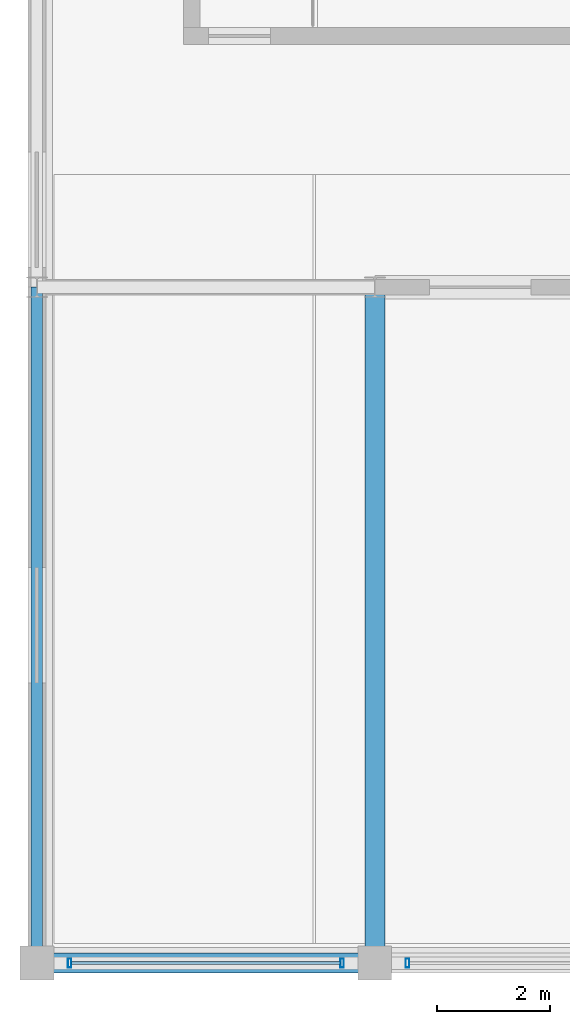
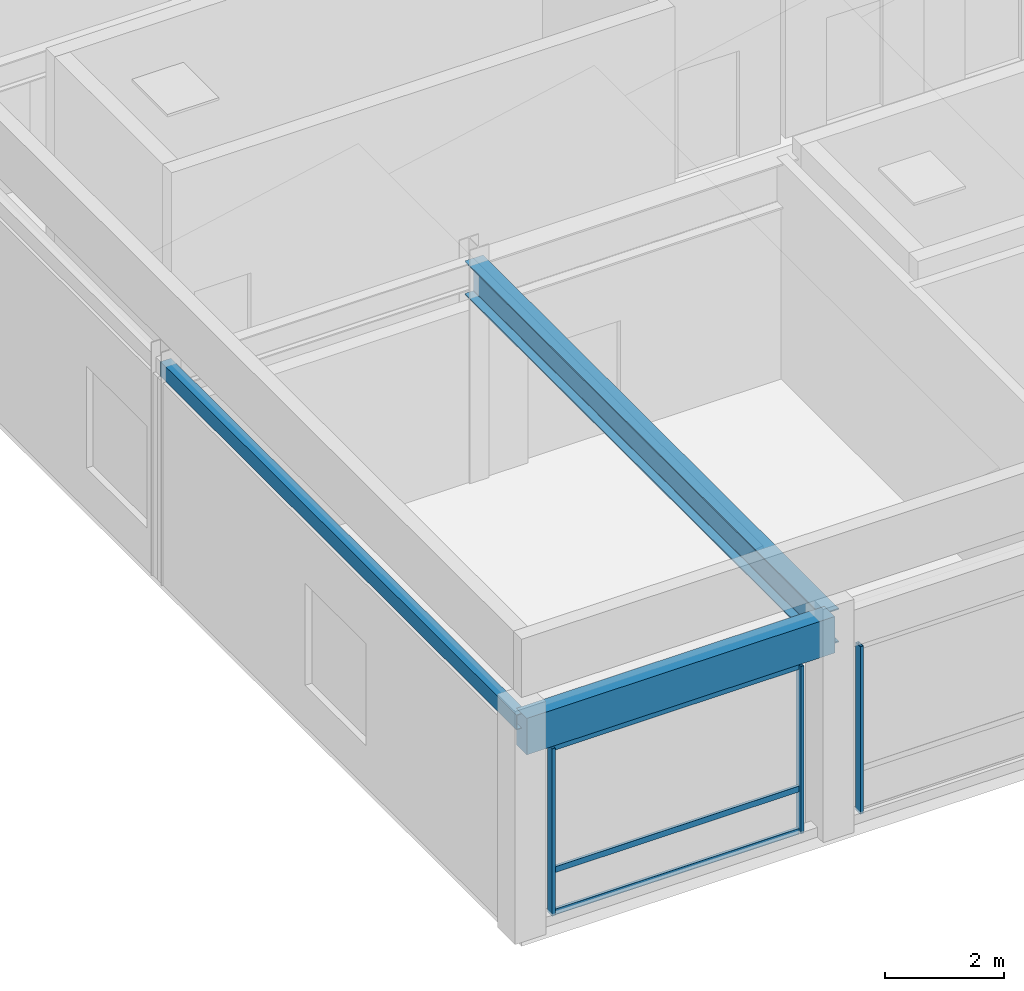
# One storey, part 2 of 16: 6 members, 3 beams, 2 elements without a shape of their own.
"""IFC4 building model written with IfcOpenShell, lengths in metres."""

from ifc_helpers import new_model, si_unit, direction, frame, origin, origin_2d, place, context, subcontext, project, spatial, rectangle, hollow_rectangle, i_section, extrude, material, material_profile, profile_set, type_object, element, aggregate, save


model = new_model("IFC4")

# Units and contexts
model_context = context("Model", 3, precision=1e-05, world=origin(), true_north=direction((0.0, 1.0)))
body_context = subcontext(model_context, "Body", "Model", "MODEL_VIEW")
ifc_project = project(units=[si_unit("LENGTHUNIT", "METRE"), si_unit("AREAUNIT", "SQUARE_METRE"), si_unit("VOLUMEUNIT", "CUBIC_METRE"), si_unit("PLANEANGLEUNIT", "RADIAN"), si_unit("MASSUNIT", "GRAM", prefix="KILO")], contexts=[model_context])

# Site, building, storey
site_placement = place(None, origin())
site = spatial("IfcSite", under=ifc_project, at=site_placement, CompositionType="ELEMENT")
building_placement = place(site_placement, origin())
building = spatial("IfcBuilding", under=site, at=building_placement, Name="Kaldorvane Square Convention Centre", CompositionType="ELEMENT")
storey_placement = place(building_placement, frame((0.0, 0.0, 70.80000305175781)))
storey = spatial("IfcBuildingStorey", under=building, at=storey_placement, Name="L17", CompositionType="ELEMENT", Elevation=70.80000305175781)

# Beams
ifc_material_1 = material(Name="Steel ASTM A992 Gr. 50", Category="steel")
ifc_material_profile_1 = material_profile(ifc_material_1, i_section(OverallWidth=0.354705810546875, OverallDepth=0.69549560546875, WebThickness=0.0153961181640625, FlangeThickness=0.0251007080078125, FilletRadius=0.01519775390625, at=origin_2d()), Name="W27X146")
ifc_profile_set_1 = profile_set([ifc_material_profile_1], Name="Steel ASTM A992 Gr. 50")
beam_type_1 = type_object("IfcBeamType", Name="BM-GR-W27X146", PredefinedType="BEAM", material=ifc_profile_set_1)
beam_1_placement = place(storey_placement, frame((42.0, 84.0, 4.128204345703125), z_axis=(0.0, 1.0, 0.0), x_axis=(-1.0, 0.0, 0.0)))
element("IfcBeam", 1, at=beam_1_placement, inside=storey, type_object=beam_type_1, Name="Transverse Girder (L17)", PredefinedType="BEAM", context=body_context, shape_type="SweptSolid", body=[
    extrude(i_section(OverallWidth=0.354705810546875, OverallDepth=0.69549560546875, WebThickness=0.0153961181640625, FlangeThickness=0.0251007080078125, FilletRadius=0.01519775390625, at=origin_2d()), origin(), (0.0, 0.0, 1.0), 12.0),
])
ifc_material_2 = material(Name="Steel ASTM A500 Gr. C", Category="steel")
ifc_material_profile_2 = material_profile(ifc_material_2, hollow_rectangle(XDim=0.2032012939453125, YDim=0.3047943115234375, WallThickness=0.0088958740234375, at=origin_2d()), Name="HSS12X8X3/8")
ifc_profile_set_2 = profile_set([ifc_material_profile_2], Name="Steel ASTM A500 Gr. C")
beam_type_2 = type_object("IfcBeamType", Name="BM-SP-HSS12", PredefinedType="SPANDREL", material=ifc_profile_set_2)
beam_2_placement = place(storey_placement, frame((36.0, 84.0, 4.3235931396484375), z_axis=(0.0, 1.0, 0.0), x_axis=(-1.0, 0.0, 0.0)))
element("IfcBeam", 2, at=beam_2_placement, inside=storey, type_object=beam_type_2, Name="End Spandrel (L17)", PredefinedType="SPANDREL", context=body_context, shape_type="SweptSolid", body=[
    extrude(hollow_rectangle(XDim=0.2032012939453125, YDim=0.3047943115234375, WallThickness=0.0088958740234375, at=origin_2d()), origin(), (0.0, 0.0, 1.0), 12.0),
])
ifc_material_3 = material(Name="Concrete f'c = 42 MPa (Normalweight)", Category="concrete")
ifc_material_profile_3 = material_profile(ifc_material_3, rectangle(XDim=0.350006103515625, YDim=0.75, at=origin_2d()), Name="RCSP750X350")
ifc_profile_set_3 = profile_set([ifc_material_profile_3], Name="Concrete f'c = 42 MPa (Normalweight)")
beam_type_3 = type_object("IfcBeamType", Name="BM-SP-RC750", PredefinedType="SPANDREL", material=ifc_profile_set_3)
beam_3_placement = place(storey_placement, frame((36.0, 84.0, 4.1009979248046875), z_axis=(1.0, 0.0, 0.0), x_axis=(0.0, 1.0, 0.0)))
element("IfcBeam", 3, at=beam_3_placement, inside=storey, type_object=beam_type_3, Name="Perimeter Spandrel (L17)", PredefinedType="SPANDREL", context=body_context, shape_type="SweptSolid", body=[
    extrude(rectangle(XDim=0.350006103515625, YDim=0.75, at=origin_2d()), origin(), (0.0, 0.0, 1.0), 6.0),
])

# Curtain wall, members
ifc_material_4 = material(Name="Anodized Aluminum and Low-E Insulated Glazing", Category="aluminium")
curtain_wall_type_1 = type_object("IfcCurtainWallType", Name="CW-UNI-PNT-06", PredefinedType="USERDEFINED", material=ifc_material_4)
curtain_wall_1_placement = place(storey_placement, origin())
curtain_wall_1 = element("IfcCurtainWall", 4, at=curtain_wall_1_placement, inside=storey, type_object=curtain_wall_type_1, Name="Curtain Wall CW-13 (L17)", ObjectType="UNITISED GLAZING", PredefinedType="USERDEFINED")
ifc_material_profile_4 = material_profile(ifc_material_4, hollow_rectangle(XDim=0.05999755859375, YDim=0.160003662109375, WallThickness=0.003204345703125, at=origin_2d()), Name="CWM-160X60")
ifc_profile_set_4 = profile_set([ifc_material_profile_4], Name="Anodized Aluminum and Low-E Insulated Glazing")
member_type_1 = type_object("IfcMemberType", Name="CW-MUL-160", PredefinedType="MULLION", material=ifc_profile_set_4)
member_1_placement = place(storey_placement, frame((36.58000183105469, 84.0, 0.149993896484375), z_axis=(0.0, 0.0, 1.0), x_axis=(1.0, 0.0, 0.0)))
member_1 = element("IfcMember", 5, at=member_1_placement, type_object=member_type_1, Name="CW-13 mullion 1", PredefinedType="MULLION", context=body_context, shape_type="SweptSolid", body=[
    extrude(hollow_rectangle(XDim=0.05999755859375, YDim=0.160003662109375, WallThickness=0.003204345703125, at=origin_2d()), origin(), (0.0, 0.0, 1.0), 3.4499969482421875),
])
member_2_placement = place(storey_placement, frame((41.41999816894531, 84.0, 0.149993896484375), z_axis=(0.0, 0.0, 1.0), x_axis=(1.0, 0.0, 0.0)))
member_2 = element("IfcMember", 6, at=member_2_placement, type_object=member_type_1, Name="CW-13 mullion 2", PredefinedType="MULLION", context=body_context, shape_type="SweptSolid", body=[
    extrude(hollow_rectangle(XDim=0.05999755859375, YDim=0.160003662109375, WallThickness=0.003204345703125, at=origin_2d()), origin(), (0.0, 0.0, 1.0), 3.4499969482421875),
])

# Curtain wall, member
curtain_wall_type_2 = type_object("IfcCurtainWallType", Name="CW-UNI-PNT-12", PredefinedType="USERDEFINED", material=ifc_material_4)
curtain_wall_2_placement = place(storey_placement, origin())
curtain_wall_2 = element("IfcCurtainWall", 7, at=curtain_wall_2_placement, inside=storey, type_object=curtain_wall_type_2, Name="Curtain Wall CW-12 (L17)", ObjectType="UNITISED GLAZING", PredefinedType="USERDEFINED")
member_3_placement = place(storey_placement, frame((42.58000183105469, 84.0, 0.149993896484375), z_axis=(0.0, 0.0, 1.0), x_axis=(1.0, 0.0, 0.0)))
member_3 = element("IfcMember", 8, at=member_3_placement, type_object=member_type_1, Name="CW-12 mullion 1", PredefinedType="MULLION", context=body_context, shape_type="SweptSolid", body=[
    extrude(hollow_rectangle(XDim=0.05999755859375, YDim=0.160003662109375, WallThickness=0.003204345703125, at=origin_2d()), origin(), (0.0, 0.0, 1.0), 3.4499969482421875),
])
aggregate(curtain_wall_2, [member_3])

# Member
ifc_material_profile_5 = material_profile(ifc_material_4, hollow_rectangle(XDim=0.05499267578125, YDim=0.1199951171875, WallThickness=0.0030059814453125, at=origin_2d()), Name="CWT-120X55")
ifc_profile_set_5 = profile_set([ifc_material_profile_5], Name="Anodized Aluminum and Low-E Insulated Glazing")
member_type_2 = type_object("IfcMemberType", Name="CW-TRN-120", PredefinedType="USERDEFINED", material=ifc_profile_set_5)
member_4_placement = place(storey_placement, frame((36.61000061035156, 84.0, 0.177490234375), z_axis=(1.0, 0.0, 0.0), x_axis=(0.0, 1.0, 0.0)))
member_4 = element("IfcMember", 9, at=member_4_placement, type_object=member_type_2, Name="CW-13 transom 1.1", ObjectType="TRANSOM", PredefinedType="USERDEFINED", context=body_context, shape_type="SweptSolid", body=[
    extrude(hollow_rectangle(XDim=0.05499267578125, YDim=0.1199951171875, WallThickness=0.0030059814453125, at=origin_2d()), origin(), (0.0, 0.0, 1.0), 4.779998779296875),
])

member_5_placement = place(storey_placement, frame((36.61000061035156, 84.0, 1.0500030517578125), z_axis=(1.0, 0.0, 0.0), x_axis=(0.0, 1.0, 0.0)))
member_5 = element("IfcMember", 10, at=member_5_placement, type_object=member_type_2, Name="CW-13 transom 1.2", ObjectType="TRANSOM", PredefinedType="USERDEFINED", context=body_context, shape_type="SweptSolid", body=[
    extrude(hollow_rectangle(XDim=0.05499267578125, YDim=0.1199951171875, WallThickness=0.0030059814453125, at=origin_2d()), origin(), (0.0, 0.0, 1.0), 4.779998779296875),
])

member_6_placement = place(storey_placement, frame((36.61000061035156, 84.0, 3.5724945068359375), z_axis=(1.0, 0.0, 0.0), x_axis=(0.0, 1.0, 0.0)))
member_6 = element("IfcMember", 11, at=member_6_placement, type_object=member_type_2, Name="CW-13 transom 1.3", ObjectType="TRANSOM", PredefinedType="USERDEFINED", context=body_context, shape_type="SweptSolid", body=[
    extrude(hollow_rectangle(XDim=0.05499267578125, YDim=0.1199951171875, WallThickness=0.0030059814453125, at=origin_2d()), origin(), (0.0, 0.0, 1.0), 4.779998779296875),
])

aggregate(curtain_wall_1, [member_1, member_2, member_4, member_5, member_6])

save(model, "model.ifc")
